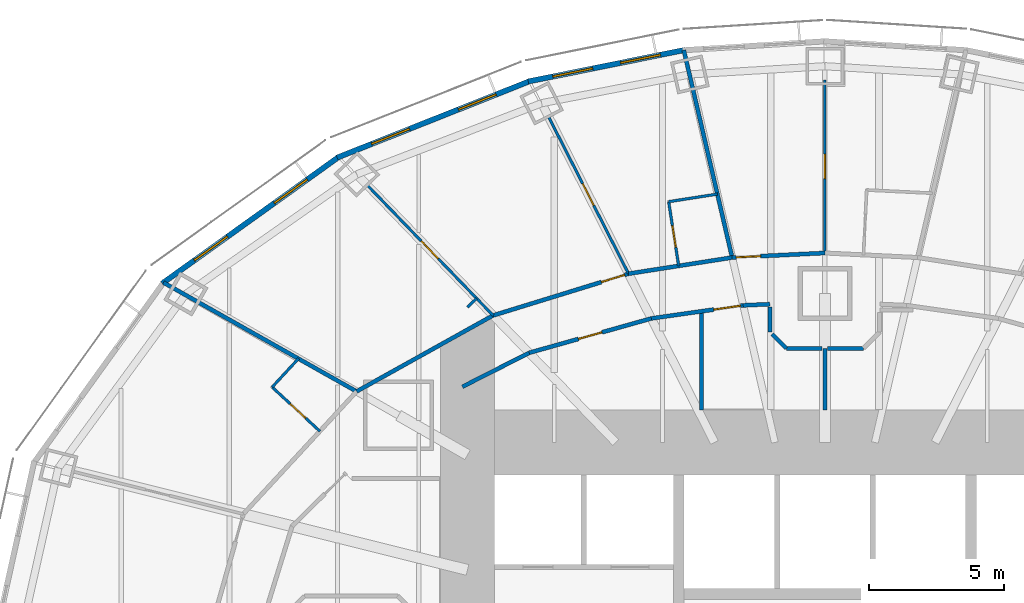
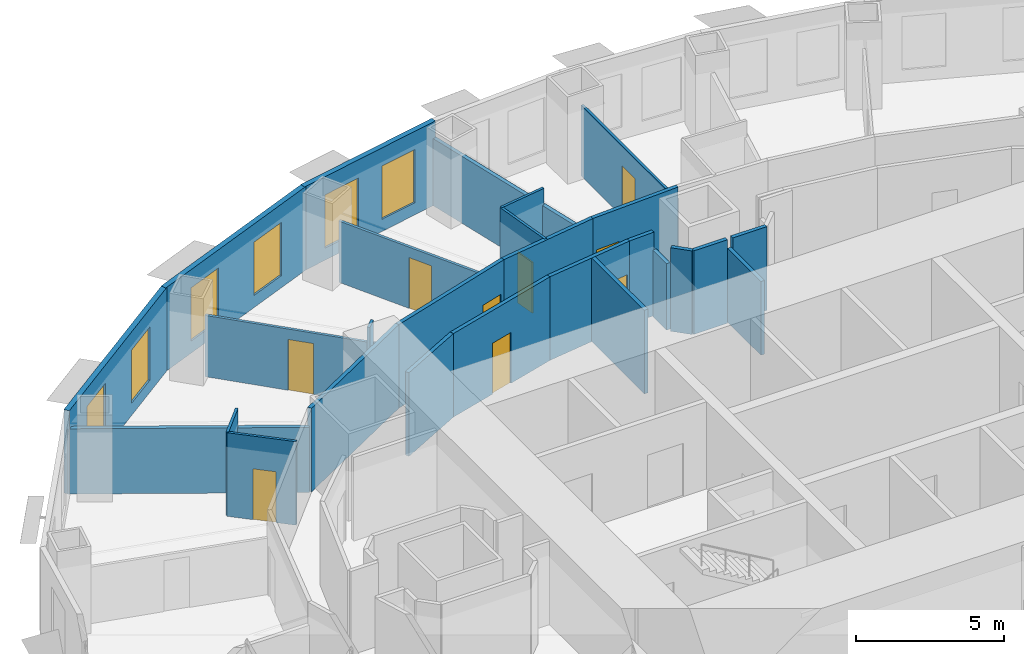
# One storey, part 9 of 15: 27 walls, 9 doors, 6 windows, 15 openings.
"""IFC4 building model written with IfcOpenShell, lengths in metres."""

import ifcopenshell
import ifcopenshell.guid

model = None  # the IFC model being written
_history = None  # IfcOwnerHistory: only IFC2X3 demands one
_inside = {}  # id of a spatial element -> (the spatial element, [elements in it])
_under = {}  # id of a project, library or spatial element -> (it, [spatial elements below it])
_declared = {}  # id of a project -> (the project, [libraries it declares])
_typed = {}  # id of a type object -> (the type object, [elements of that type])
_made_of = {}  # id of a material, layer set ... -> (it, [elements and type objects made of it])


def new_model(schema):
    """Start an empty IFC model of exactly this schema.

    Asked for "IFC4X3", IfcOpenShell would pick the latest addendum, in which some entities
    have other attributes; the version numbers below select the first issue.
    IFC2X3 requires an IfcOwnerHistory on every rooted entity: one is made here for all.
    """
    global model, _history
    if schema == "IFC4X3":
        model = ifcopenshell.file(schema_version=(4, 3, 0, 0))
    else:
        model = ifcopenshell.file(schema=schema)
    _inside.clear()
    _under.clear()
    _declared.clear()
    _typed.clear()
    _made_of.clear()
    _history = None
    if model.schema == "IFC2X3":
        org = make("IfcOrganization", Name="unknown")
        user = make(
            "IfcPersonAndOrganization",
            ThePerson=make("IfcPerson", FamilyName="unknown"),
            TheOrganization=org,
        )
        app = make(
            "IfcApplication",
            ApplicationDeveloper=org,
            Version="unknown",
            ApplicationFullName="unknown",
            ApplicationIdentifier="unknown",
        )
        _history = make(
            "IfcOwnerHistory",
            OwningUser=user,
            OwningApplication=app,
            ChangeAction="ADDED",
            CreationDate=0,
        )
    return model


def make(cls, **values):
    """One entity of the class cls with the attributes given. An attribute that is None is left unset."""
    return model.create_entity(
        cls, **{name: value for name, value in values.items() if value is not None}
    )


def rooted(cls, **values):
    """An entity with a GlobalId (a new one), such as an element, a storey or a relation."""
    return make(cls, GlobalId=ifcopenshell.guid.new(), OwnerHistory=_history, **values)


def si_unit(unit_type, name, prefix=None):
    """IfcSIUnit, for example si_unit("LENGTHUNIT", "METRE", prefix="MILLI")."""
    return make("IfcSIUnit", UnitType=unit_type, Prefix=prefix, Name=name)


def assignment(units):
    """IfcUnitAssignment: the units of a project."""
    return None if units is None else make("IfcUnitAssignment", Units=units)


def point(xyz):
    """IfcCartesianPoint."""
    return None if xyz is None else make("IfcCartesianPoint", Coordinates=xyz)


def direction(xyz):
    """IfcDirection."""
    return None if xyz is None else make("IfcDirection", DirectionRatios=xyz)


def frame(location, z_axis=None, x_axis=None):
    """IfcAxis2Placement3D, a coordinate frame: its origin and axes. An axis left out is left unset."""
    return make(
        "IfcAxis2Placement3D",
        Location=point(location),
        Axis=direction(z_axis),
        RefDirection=direction(x_axis),
    )


def frame_2d(location, x_axis=None):
    """IfcAxis2Placement2D, a coordinate frame in the plane: its origin and x axis."""
    return make(
        "IfcAxis2Placement2D", Location=point(location), RefDirection=direction(x_axis)
    )


def origin():
    """The frame at (0, 0, 0) with its axes left unset."""
    return frame((0.0, 0.0, 0.0))


def place(relative_to, where):
    """IfcLocalPlacement: puts the frame where relative to a parent placement (None: the world)."""
    return make(
        "IfcLocalPlacement", PlacementRelTo=relative_to, RelativePlacement=where
    )


def context(
    kind, dimensions, precision=None, world=None, true_north=None, identifier=None
):
    """IfcGeometricRepresentationContext, for example the 3D "Model" context."""
    return make(
        "IfcGeometricRepresentationContext",
        ContextIdentifier=identifier,
        ContextType=kind,
        CoordinateSpaceDimension=dimensions,
        Precision=precision,
        WorldCoordinateSystem=world,
        TrueNorth=true_north,
    )


def subcontext(parent, identifier, kind, view, scale=None):
    """IfcGeometricRepresentationSubContext, for example "Body" below "Model"."""
    return make(
        "IfcGeometricRepresentationSubContext",
        ContextIdentifier=identifier,
        ContextType=kind,
        ParentContext=parent,
        TargetScale=scale,
        TargetView=view,
    )


def project(units=None, contexts=None):
    """IfcProject with its units and contexts."""
    return rooted(
        "IfcProject",
        Name="project",
        RepresentationContexts=contexts,
        UnitsInContext=assignment(units),
    )


def spatial(cls, under=None, at=None, **own):
    """A site, building, storey or space (cls), placed at a placement, below another one or the project."""
    s = rooted(cls, ObjectPlacement=at, **own)
    if under is not None:
        _under.setdefault(under.id(), (under, []))[1].append(s)
    return s


def profile(cls, at=None, kind="AREA", **sizes):
    """A parametric profile (cls). Its sizes go by their IFC names, for example OverallWidth=200.0."""
    return make(cls, ProfileType=kind, Position=at, **sizes)


def rectangle(**sizes):
    """IfcRectangleProfileDef."""
    return profile("IfcRectangleProfileDef", **sizes)


def extrude(swept, where, along, depth):
    """IfcExtrudedAreaSolid: the profile swept, set in the frame where, extruded along a direction by depth."""
    return make(
        "IfcExtrudedAreaSolid",
        SweptArea=swept,
        Position=where,
        ExtrudedDirection=direction(along),
        Depth=depth,
    )


def shape(context_of_items, identifier, shape_type, items):
    """IfcShapeRepresentation: the items that make up one representation, for example the "Body"."""
    return make(
        "IfcShapeRepresentation",
        ContextOfItems=context_of_items,
        RepresentationIdentifier=identifier,
        RepresentationType=shape_type,
        Items=items,
    )


def material(Name=None, Category=None):
    """IfcMaterial."""
    return make("IfcMaterial", Name=Name, Category=Category)


def layer(
    of_material, thickness, ventilated=None, Name=None, Category=None, Priority=None
):
    """IfcMaterialLayer: one layer of a wall or slab, of a material (None: an air gap)."""
    return make(
        "IfcMaterialLayer",
        Material=of_material,
        LayerThickness=thickness,
        IsVentilated=ventilated,
        Name=Name,
        Category=Category,
        Priority=Priority,
    )


def layer_set(layers, Name=None):
    """IfcMaterialLayerSet."""
    return make("IfcMaterialLayerSet", MaterialLayers=layers, LayerSetName=Name)


def made_of(thing, what):
    """Note that an element or type object is made of a material, layer set ...; save() writes the relation."""
    if what is not None:
        _made_of.setdefault(what.id(), (what, []))[1].append(thing)
    return thing


def type_object(cls, material=None, **own):
    """A type object (cls), such as IfcWallType, which elements share."""
    return made_of(rooted(cls, **own), material)


def element(
    cls,
    number,
    at=None,
    inside=None,
    cuts=None,
    type_object=None,
    material=None,
    context=None,
    identifier="Body",
    shape_type=None,
    held_by="IfcProductDefinitionShape",
    body=None,
    shapes=None,
    **own,
):
    """One element of the class cls, such as IfcWall. Its Tag is "e" and its number.

    at: its placement. inside: the storey or other place that contains it. cuts: it is an
    opening in that element (IfcRelVoidsElement). A single representation is given by context,
    identifier, shape_type and body (its items); several are given by shapes. held_by: the class
    of the entity that holds the representations. save() writes the other relations.
    """
    e = rooted(cls, Tag="e%d" % number, ObjectPlacement=at, **own)
    if body is not None:
        shapes = [shape(context, identifier, shape_type, body)]
    if shapes is not None:
        e.Representation = make(held_by, Representations=shapes)
    if inside is not None:
        _inside.setdefault(inside.id(), (inside, []))[1].append(e)
    if cuts is not None:
        rooted(
            "IfcRelVoidsElement", RelatingBuildingElement=cuts, RelatedOpeningElement=e
        )
    if type_object is not None:
        _typed.setdefault(type_object.id(), (type_object, []))[1].append(e)
    return made_of(e, material)


def fill(opening, filler):
    """IfcRelFillsElement: the door or window that sits in an opening."""
    return rooted(
        "IfcRelFillsElement",
        RelatingOpeningElement=opening,
        RelatedBuildingElement=filler,
    )


def aggregate(whole, parts):
    """IfcRelAggregates: a whole, such as a stair, and the parts it consists of."""
    return rooted("IfcRelAggregates", RelatingObject=whole, RelatedObjects=parts)


def save(model, path):
    """Write the relations noted so far, then the file.

    IfcRelAggregates (storeys below a building ...), IfcRelContainedInSpatialStructure (elements
    in a storey), IfcRelDefinesByType, IfcRelAssociatesMaterial and IfcRelDeclares: one each for
    every whole, place, type object, material and project.
    """
    for whole, parts in _under.values():
        aggregate(whole, parts)
    for where, things in _inside.values():
        rooted(
            "IfcRelContainedInSpatialStructure",
            RelatedElements=things,
            RelatingStructure=where,
        )
    for kind, things in _typed.values():
        rooted("IfcRelDefinesByType", RelatedObjects=things, RelatingType=kind)
    for what, things in _made_of.values():
        rooted("IfcRelAssociatesMaterial", RelatedObjects=things, RelatingMaterial=what)
    for by, libraries in _declared.values():
        rooted("IfcRelDeclares", RelatingContext=by, RelatedDefinitions=libraries)
    model.write(path)


model = new_model("IFC4")

# Units and contexts
model_context = context("Model", 3, precision=1e-05, world=origin(), true_north=direction((0.0, 1.0)))
body_context = subcontext(model_context, "Body", "Model", "MODEL_VIEW")
ifc_project = project(units=[si_unit("LENGTHUNIT", "METRE"), si_unit("AREAUNIT", "SQUARE_METRE"), si_unit("VOLUMEUNIT", "CUBIC_METRE"), si_unit("PLANEANGLEUNIT", "RADIAN"), si_unit("MASSUNIT", "GRAM", prefix="KILO")], contexts=[model_context])

# Site, building, storey
site_placement = place(None, origin())
site = spatial("IfcSite", under=ifc_project, at=site_placement, CompositionType="ELEMENT")
building_placement = place(site_placement, origin())
building = spatial("IfcBuilding", under=site, at=building_placement, Name="Lantaw Convention Tower", CompositionType="ELEMENT")
storey_placement = place(building_placement, frame((0.0, 0.0, 94.60009765625)))
storey = spatial("IfcBuildingStorey", under=building, at=storey_placement, Name="L22", CompositionType="ELEMENT", Elevation=94.60009765625)

# Walls
ifc_material_1 = material(Name="Gypsum board on steel studs", Category="steel")
ifc_layer_1 = layer(ifc_material_1, 0.14990234375)
ifc_layer_set_1 = layer_set([ifc_layer_1], Name="Back of house wall 150")
wall_type_1 = type_object("IfcWallType", Name="Back of house wall 150", PredefinedType="PARTITIONING", material=ifc_layer_set_1)
wall_1_placement = place(storey_placement, frame((0.0, 9.199951171875, 0.0), z_axis=(0.0, 0.0, 1.0), x_axis=(0.0, 1.0, 0.0)))
element("IfcWall", 1, at=wall_1_placement, inside=storey, type_object=wall_type_1, Name="Back of house wall 150", PredefinedType="PARTITIONING", context=body_context, shape_type="SweptSolid", body=[
    extrude(rectangle(XDim=2.26513671875, YDim=0.14990234375, at=frame_2d((1.132568359375, 0.0))), origin(), (0.0, 0.0, 1.0), 3.04345703125),
])
for number, where, z_axis, x_axis, name in (
    (2, (1.424560546875, 11.47509765625, 0.0), (0.0, 0.0, 1.0), (-1.0, 0.0, 0.0), "Back of house wall 150"),
    (3, (-0.103271484375, 11.47509765625, 0.0), (0.0, 0.0, 1.0), (-1.0, 0.0, 0.0), "Back of house wall 150"),
):
    element("IfcWall", number, at=place(storey_placement, frame(where, z_axis=z_axis, x_axis=x_axis)), inside=storey, type_object=wall_type_1, Name=name, PredefinedType="PARTITIONING", context=body_context, shape_type="SweptSolid", body=[
        extrude(rectangle(XDim=1.3212890625, YDim=0.14990234375, at=frame_2d((0.66064453125, 0.0))), origin(), (0.0, 0.0, 1.0), 3.449951171875),
    ])
wall_2_placement = place(storey_placement, frame((-1.424560546875, 11.47509765625, 0.0), z_axis=(0.0, 0.0, 1.0), x_axis=(-0.707269727782, 0.706943797032, 0.0)))
element("IfcWall", 4, at=wall_2_placement, inside=storey, type_object=wall_type_1, Name="Back of house wall 150", PredefinedType="PARTITIONING", context=body_context, shape_type="SweptSolid", body=[
    extrude(rectangle(XDim=0.7490234375, YDim=0.14990234375, at=frame_2d((0.37451171875, 0.0))), origin(), (0.0, 0.0, 1.0), 3.449951171875),
])

# Wall, opening, door
ifc_material_2 = material(Name="Moisture resistant gypsum board on steel studs", Category="steel")
ifc_layer_2 = layer(ifc_material_2, 0.10009765625)
ifc_layer_set_2 = layer_set([ifc_layer_2], Name="Bathroom wall 100")
wall_type_2 = type_object("IfcWallType", Name="Bathroom wall 100", PredefinedType="PARTITIONING", material=ifc_layer_set_2)
wall_3_placement = place(storey_placement, frame((-5.400390625, 14.524169921875, 0.0), z_axis=(0.0, 0.0, 1.0), x_axis=(-0.154426532979, 0.988004274238, 0.0)))
wall_3 = element("IfcWall", 5, at=wall_3_placement, inside=storey, type_object=wall_type_2, Name="Bathroom wall 100", PredefinedType="PARTITIONING", context=body_context, shape_type="SweptSolid", body=[
    extrude(rectangle(XDim=2.39990234375, YDim=0.10009765625, at=frame_2d((1.199951171875, 0.0))), origin(), (0.0, 0.0, 1.0), 3.449951171875),
])
opening_1_placement = place(wall_3_placement, frame((0.699951171875, 0.0, 0.0)))
opening_1 = element("IfcOpeningElement", 6, at=opening_1_placement, cuts=wall_3, Name="Opening L22.35", PredefinedType="OPENING", context=body_context, shape_type="SweptSolid", body=[
    extrude(rectangle(XDim=0.800048828125, YDim=2.10009765625, at=frame_2d((0.39990234375, 1.050048828125))), frame((0.0, 0.06005859375, 0.0), z_axis=(0.0, -1.0, 0.0), x_axis=(1.0, 0.0, 0.0)), (0.0, 0.0, 1.0), 0.1201171875),
])
ifc_material_3 = material(Name="Timber", Category="wood")
door_type_1 = type_object("IfcDoorType", Name="Bathroom door 800", OperationType="SINGLE_SWING_LEFT", PredefinedType="DOOR", material=ifc_material_3)
door_1_placement = place(opening_1_placement, origin())
door_1 = element("IfcDoor", 7, at=door_1_placement, inside=storey, type_object=door_type_1, Name="Bathroom door", OperationType="SINGLE_SWING_LEFT", OverallHeight=2.10009765625, OverallWidth=0.800048828125, PredefinedType="DOOR", context=body_context, shape_type="SweptSolid", body=[
    extrude(rectangle(XDim=0.800048828125, YDim=2.10009765625, at=frame_2d((0.39990234375, 1.050048828125))), frame((0.0, 0.02490234375, 0.0), z_axis=(0.0, -1.0, 0.0), x_axis=(1.0, 0.0, 0.0)), (0.0, 0.0, 1.0), 0.050048828125),
])
fill(opening_1, door_1)

# Wall
wall_4_placement = place(storey_placement, frame((-5.77099609375, 16.895263671875, 0.0), z_axis=(0.0, 0.0, 1.0), x_axis=(0.98801840204, 0.154336117711, 0.0)))
element("IfcWall", 8, at=wall_4_placement, inside=storey, type_object=wall_type_2, Name="Bathroom wall 100", PredefinedType="PARTITIONING", context=body_context, shape_type="SweptSolid", body=[
    extrude(rectangle(XDim=1.8271484375, YDim=0.10009765625, at=frame_2d((0.91357421875, 0.0))), origin(), (0.0, 0.0, 1.0), 3.449951171875),
])

# Wall, opening, door
wall_5_placement = place(storey_placement, frame((-18.65625, 8.416259765625, 0.0), z_axis=(0.0, 0.0, 1.0), x_axis=(-0.73447964986, 0.678630712495, 0.0)))
wall_5 = element("IfcWall", 9, at=wall_5_placement, inside=storey, type_object=wall_type_2, Name="Bathroom wall 100", PredefinedType="PARTITIONING", context=body_context, shape_type="SweptSolid", body=[
    extrude(rectangle(XDim=2.39990234375, YDim=0.10009765625, at=frame_2d((1.199951171875, 0.0))), origin(), (0.0, 0.0, 1.0), 3.449951171875),
])
opening_2_placement = place(wall_5_placement, frame((0.699951171875, 0.0, 0.0)))
opening_2 = element("IfcOpeningElement", 10, at=opening_2_placement, cuts=wall_5, Name="Opening L22.39", PredefinedType="OPENING", context=body_context, shape_type="SweptSolid", body=[
    extrude(rectangle(XDim=0.800048828125, YDim=2.10009765625, at=frame_2d((0.39990234375, 1.050048828125))), frame((0.0, 0.06005859375, 0.0), z_axis=(0.0, -1.0, 0.0), x_axis=(1.0, 0.0, 0.0)), (0.0, 0.0, 1.0), 0.1201171875),
])
door_2_placement = place(opening_2_placement, origin())
door_2 = element("IfcDoor", 11, at=door_2_placement, inside=storey, type_object=door_type_1, Name="Bathroom door", OperationType="SINGLE_SWING_LEFT", OverallHeight=2.10009765625, OverallWidth=0.800048828125, PredefinedType="DOOR", context=body_context, shape_type="SweptSolid", body=[
    extrude(rectangle(XDim=0.800048828125, YDim=2.10009765625, at=frame_2d((0.39990234375, 1.050048828125))), frame((0.0, 0.02490234375, 0.0), z_axis=(0.0, -1.0, 0.0), x_axis=(1.0, 0.0, 0.0)), (0.0, 0.0, 1.0), 0.050048828125),
])
fill(opening_2, door_2)

# Wall
wall_6_placement = place(storey_placement, frame((-20.4189453125, 10.044921875, 0.0), z_axis=(0.0, 0.0, 1.0), x_axis=(0.67861657312, 0.734492713842, 0.0)))
element("IfcWall", 12, at=wall_6_placement, inside=storey, type_object=wall_type_2, Name="Bathroom wall 100", PredefinedType="PARTITIONING", context=body_context, shape_type="SweptSolid", body=[
    extrude(rectangle(XDim=1.4462890625, YDim=0.10009765625, at=frame_2d((0.72314453125, 0.0))), origin(), (0.0, 0.0, 1.0), 3.449951171875),
])

# Wall, opening, door
ifc_material_4 = material(Name="Gypsum board on steel studs, fire rated", Category="steel")
ifc_layer_3 = layer(ifc_material_4, 0.14990234375)
ifc_layer_set_3 = layer_set([ifc_layer_3], Name="Corridor wall 150 EI 60")
wall_type_3 = type_object("IfcWallType", Name="Corridor wall 150 EI 60", PredefinedType="PARTITIONING", material=ifc_layer_set_3)
wall_7_placement = place(storey_placement, frame((0.0, 15.0, 0.0), z_axis=(0.0, 0.0, 1.0), x_axis=(-0.998809560203, -0.048779733975, 0.0)))
wall_7 = element("IfcWall", 13, at=wall_7_placement, inside=storey, type_object=wall_type_3, Name="Corridor wall 150", PredefinedType="PARTITIONING", context=body_context, shape_type="SweptSolid", body=[
    extrude(rectangle(XDim=3.428466796875, YDim=0.14990234375, at=frame_2d((1.71435546875, 0.0))), origin(), (0.0, 0.0, 1.0), 3.449951171875),
])
opening_3_placement = place(wall_7_placement, frame((2.37841796875, 0.0, 0.0)))
opening_3 = element("IfcOpeningElement", 14, at=opening_3_placement, cuts=wall_7, Name="Opening L22.34", PredefinedType="OPENING", context=body_context, shape_type="SweptSolid", body=[
    extrude(rectangle(XDim=0.89990234375, YDim=2.10009765625, at=frame_2d((0.449951171875, 1.050048828125))), frame((0.0, 0.0849609375, 0.0), z_axis=(0.0, -1.0, 0.0), x_axis=(1.0, 0.0, 0.0)), (0.0, 0.0, 1.0), 0.169921875),
])
ifc_material_5 = material(Name="Steel, fire rated", Category="steel")
door_type_2 = type_object("IfcDoorType", Name="Guest room entrance door FD30S", OperationType="SINGLE_SWING_LEFT", PredefinedType="DOOR", material=ifc_material_5)
door_3_placement = place(opening_3_placement, origin())
door_3 = element("IfcDoor", 15, at=door_3_placement, inside=storey, type_object=door_type_2, Name="Suite entrance door", OperationType="SINGLE_SWING_LEFT", OverallHeight=2.10009765625, OverallWidth=0.89990234375, PredefinedType="DOOR", context=body_context, shape_type="SweptSolid", body=[
    extrude(rectangle(XDim=0.89990234375, YDim=2.10009765625, at=frame_2d((0.449951171875, 1.050048828125))), frame((0.0, 0.02490234375, 0.0), z_axis=(0.0, -1.0, 0.0), x_axis=(1.0, 0.0, 0.0)), (0.0, 0.0, 1.0), 0.050048828125),
])
fill(opening_3, door_3)

# Wall
wall_8_placement = place(storey_placement, frame((-3.42431640625, 14.832763671875, 0.0), z_axis=(0.0, 0.0, 1.0), x_axis=(-0.988015036573, -0.154357660987, 0.0)))
element("IfcWall", 16, at=wall_8_placement, inside=storey, type_object=wall_type_3, Name="Corridor wall 150", PredefinedType="PARTITIONING", context=body_context, shape_type="SweptSolid", body=[
    extrude(rectangle(XDim=3.875, YDim=0.14990234375, at=frame_2d((1.9375, 0.0))), origin(), (0.0, 0.0, 1.0), 3.449951171875),
])

# Wall, opening, door
wall_9_placement = place(storey_placement, frame((-7.2529296875, 14.234619140625, 0.0), z_axis=(0.0, 0.0, 1.0), x_axis=(-0.955657956744, -0.294478980085, 0.0)))
wall_9 = element("IfcWall", 17, at=wall_9_placement, inside=storey, type_object=wall_type_3, Name="Corridor wall 150", PredefinedType="PARTITIONING", context=body_context, shape_type="SweptSolid", body=[
    extrude(rectangle(XDim=5.236328125, YDim=0.14990234375, at=frame_2d((2.6181640625, 0.0))), origin(), (0.0, 0.0, 1.0), 3.449951171875),
])
opening_4_placement = place(wall_9_placement, frame((0.14990234375, 0.0, 0.0)))
opening_4 = element("IfcOpeningElement", 18, at=opening_4_placement, cuts=wall_9, Name="Opening L22.38", PredefinedType="OPENING", context=body_context, shape_type="SweptSolid", body=[
    extrude(rectangle(XDim=0.89990234375, YDim=2.10009765625, at=frame_2d((0.449951171875, 1.050048828125))), frame((0.0, 0.0849609375, 0.0), z_axis=(0.0, -1.0, 0.0), x_axis=(1.0, 0.0, 0.0)), (0.0, 0.0, 1.0), 0.169921875),
])
door_4_placement = place(opening_4_placement, origin())
door_4 = element("IfcDoor", 19, at=door_4_placement, inside=storey, type_object=door_type_2, Name="Suite entrance door", OperationType="SINGLE_SWING_LEFT", OverallHeight=2.10009765625, OverallWidth=0.89990234375, PredefinedType="DOOR", context=body_context, shape_type="SweptSolid", body=[
    extrude(rectangle(XDim=0.89990234375, YDim=2.10009765625, at=frame_2d((0.449951171875, 1.050048828125))), frame((0.0, 0.02490234375, 0.0), z_axis=(0.0, -1.0, 0.0), x_axis=(1.0, 0.0, 0.0)), (0.0, 0.0, 1.0), 0.050048828125),
])
fill(opening_4, door_4)

# Wall
wall_10_placement = place(storey_placement, frame((-12.257080078125, 12.692626953125, 0.0), z_axis=(0.0, 0.0, 1.0), x_axis=(-0.873695910579, -0.486472461541, 0.0)))
element("IfcWall", 20, at=wall_10_placement, inside=storey, type_object=wall_type_3, Name="Corridor wall 150", PredefinedType="PARTITIONING", context=body_context, shape_type="SweptSolid", body=[
    extrude(rectangle(XDim=5.77099609375, YDim=0.14990234375, at=frame_2d((2.885498046875, 0.0))), origin(), (0.0, 0.0, 1.0), 3.449951171875),
])

# Wall, opening, door
wall_11_placement = place(storey_placement, frame((-3.016357421875, 13.065673828125, 0.0), z_axis=(0.0, 0.0, 1.0), x_axis=(-0.990002114939, -0.14105251652, 0.0)))
wall_11 = element("IfcWall", 21, at=wall_11_placement, inside=storey, type_object=wall_type_3, Name="Corridor wall 150", PredefinedType="PARTITIONING", context=body_context, shape_type="SweptSolid", body=[
    extrude(rectangle(XDim=3.4287109375, YDim=0.14990234375, at=frame_2d((1.71435546875, 0.0))), origin(), (0.0, 0.0, 1.0), 3.449951171875),
])
opening_5_placement = place(wall_11_placement, frame((0.10009765625, 0.0, 0.0)))
opening_5 = element("IfcOpeningElement", 22, at=opening_5_placement, cuts=wall_11, Name="Opening L22.18", PredefinedType="OPENING", context=body_context, shape_type="SweptSolid", body=[
    extrude(rectangle(XDim=1.0, YDim=2.10009765625, at=frame_2d((0.5, 1.050048828125))), frame((0.0, 0.0849609375, 0.0), z_axis=(0.0, -1.0, 0.0), x_axis=(1.0, 0.0, 0.0)), (0.0, 0.0, 1.0), 0.169921875),
])
door_type_3 = type_object("IfcDoorType", Name="Accessible WC door 1000 FD30", OperationType="SINGLE_SWING_LEFT", PredefinedType="DOOR", material=ifc_material_5)
door_5_placement = place(opening_5_placement, origin())
door_5 = element("IfcDoor", 23, at=door_5_placement, inside=storey, type_object=door_type_3, Name="Accessible WC door", OperationType="SINGLE_SWING_LEFT", OverallHeight=2.10009765625, OverallWidth=1.0, PredefinedType="DOOR", context=body_context, shape_type="SweptSolid", body=[
    extrude(rectangle(XDim=1.0, YDim=2.10009765625, at=frame_2d((0.5, 1.050048828125))), frame((0.0, 0.02490234375, 0.0), z_axis=(0.0, -1.0, 0.0), x_axis=(1.0, 0.0, 0.0)), (0.0, 0.0, 1.0), 0.050048828125),
])
fill(opening_5, door_5)

wall_12_placement = place(storey_placement, frame((-6.410888671875, 12.58203125, 0.0), z_axis=(0.0, 0.0, 1.0), x_axis=(-0.962643729928, -0.270771211967, 0.0)))
wall_12 = element("IfcWall", 24, at=wall_12_placement, inside=storey, type_object=wall_type_3, Name="Corridor wall 150", PredefinedType="PARTITIONING", context=body_context, shape_type="SweptSolid", body=[
    extrude(rectangle(XDim=4.6884765625, YDim=0.14990234375, at=frame_2d((2.34423828125, 0.0))), origin(), (0.0, 0.0, 1.0), 3.449951171875),
])
opening_6_placement = place(wall_12_placement, frame((1.894287109375, 0.0, 0.0)))
opening_6 = element("IfcOpeningElement", 25, at=opening_6_placement, cuts=wall_12, Name="Opening L22.19", PredefinedType="OPENING", context=body_context, shape_type="SweptSolid", body=[
    extrude(rectangle(XDim=0.89990234375, YDim=2.10009765625, at=frame_2d((0.449951171875, 1.050048828125))), frame((0.0, 0.0849609375, 0.0), z_axis=(0.0, -1.0, 0.0), x_axis=(1.0, 0.0, 0.0)), (0.0, 0.0, 1.0), 0.169921875),
])
door_type_4 = type_object("IfcDoorType", Name="Service door 900 FD30", OperationType="SINGLE_SWING_LEFT", PredefinedType="DOOR", material=ifc_material_5)
door_6_placement = place(opening_6_placement, origin())
door_6 = element("IfcDoor", 26, at=door_6_placement, inside=storey, type_object=door_type_4, Name="Housekeeping store door", OperationType="SINGLE_SWING_LEFT", OverallHeight=2.10009765625, OverallWidth=0.89990234375, PredefinedType="DOOR", context=body_context, shape_type="SweptSolid", body=[
    extrude(rectangle(XDim=0.89990234375, YDim=2.10009765625, at=frame_2d((0.449951171875, 1.050048828125))), frame((0.0, 0.02490234375, 0.0), z_axis=(0.0, -1.0, 0.0), x_axis=(1.0, 0.0, 0.0)), (0.0, 0.0, 1.0), 0.050048828125),
])
fill(opening_6, door_6)

# Walls
wall_13_placement = place(storey_placement, frame((-10.92431640625, 11.3125, 0.0), z_axis=(0.0, 0.0, 1.0), x_axis=(-0.891388152271, -0.453240732935, 0.0)))
element("IfcWall", 27, at=wall_13_placement, inside=storey, type_object=wall_type_3, Name="Corridor wall 150", PredefinedType="PARTITIONING", context=body_context, shape_type="SweptSolid", body=[
    extrude(rectangle(XDim=2.76611328125, YDim=0.14990234375, at=frame_2d((1.383056640625, 0.0))), origin(), (0.0, 0.0, 1.0), 3.449951171875),
])
wall_14_placement = place(storey_placement, frame((-2.034912109375, 13.109375, 0.0), z_axis=(0.0, 0.0, 1.0), x_axis=(-0.999010128674, -0.044483286824, 0.0)))
element("IfcWall", 28, at=wall_14_placement, inside=storey, type_object=wall_type_3, Name="Corridor wall 150", PredefinedType="PARTITIONING", context=body_context, shape_type="SweptSolid", body=[
    extrude(rectangle(XDim=0.982421875, YDim=0.14990234375, at=frame_2d((0.4912109375, 0.0))), origin(), (0.0, 0.0, 1.0), 3.449951171875),
])
wall_15_placement = place(storey_placement, frame((-2.02490234375, 12.075439453125, 0.0), z_axis=(0.0, 0.0, 1.0), x_axis=(0.0, 1.0, 0.0)))
element("IfcWall", 29, at=wall_15_placement, inside=storey, type_object=wall_type_3, Name="Corridor wall 150", PredefinedType="PARTITIONING", context=body_context, shape_type="SweptSolid", body=[
    extrude(rectangle(XDim=0.9296875, YDim=0.14990234375, at=frame_2d((0.46484375, 0.0))), origin(), (0.0, 0.0, 1.0), 2.748779296875),
])

# Wall, openings, windows
ifc_material_6 = material(Name="Insulated aluminium panel on steel frame", Category="steel")
ifc_layer_4 = layer(ifc_material_6, 0.199951171875)
ifc_layer_set_4 = layer_set([ifc_layer_4], Name="External wall 200")
wall_type_4 = type_object("IfcWallType", Name="External wall 200", PredefinedType="SOLIDWALL", material=ifc_layer_set_4)
wall_16_placement = place(storey_placement, frame((-5.169677734375, 22.504150390625, 0.0), z_axis=(0.0, 0.0, 1.0), x_axis=(-0.980251657452, -0.197754110105, 0.0)))
wall_16 = element("IfcWall", 30, at=wall_16_placement, inside=storey, type_object=wall_type_4, Name="Facade panel wall", PredefinedType="SOLIDWALL", context=body_context, shape_type="SweptSolid", body=[
    extrude(rectangle(XDim=5.90380859375, YDim=0.199951171875, at=frame_2d((2.951904296875, 0.0))), origin(), (0.0, 0.0, 1.0), 3.449951171875),
])
opening_7_placement = place(wall_16_placement, frame((0.92578125, 0.0, 0.5)))
opening_7 = element("IfcOpeningElement", 31, at=opening_7_placement, cuts=wall_16, Name="Opening W2", PredefinedType="OPENING", context=body_context, shape_type="SweptSolid", body=[
    extrude(rectangle(XDim=1.5, YDim=2.199951171875, at=frame_2d((0.75, 1.10009765625))), frame((0.0, 0.10986328125, 0.0), z_axis=(0.0, -1.0, 0.0), x_axis=(1.0, 0.0, 0.0)), (0.0, 0.0, 1.0), 0.219970703125),
])
opening_8_placement = place(wall_16_placement, frame((3.477783203125, 0.0, 0.5)))
opening_8 = element("IfcOpeningElement", 32, at=opening_8_placement, cuts=wall_16, Name="Opening W2", PredefinedType="OPENING", context=body_context, shape_type="SweptSolid", body=[
    extrude(rectangle(XDim=1.5, YDim=2.199951171875, at=frame_2d((0.75, 1.10009765625))), frame((0.0, 0.10986328125, 0.0), z_axis=(0.0, -1.0, 0.0), x_axis=(1.0, 0.0, 0.0)), (0.0, 0.0, 1.0), 0.219970703125),
])
ifc_material_7 = material(Name="Aluminium frame, clear insulating glass", Category="aluminium")
window_type = type_object("IfcWindowType", Name="Suite window 1500x2200", PartitioningType="SINGLE_PANEL", PredefinedType="WINDOW", material=ifc_material_7)
window_1_placement = place(opening_7_placement, origin())
window_1 = element("IfcWindow", 33, at=window_1_placement, inside=storey, type_object=window_type, Name="Guest room window", OverallHeight=2.199951171875, OverallWidth=1.5, PartitioningType="SINGLE_PANEL", PredefinedType="WINDOW", context=body_context, shape_type="SweptSolid", body=[
    extrude(rectangle(XDim=1.5, YDim=2.199951171875, at=frame_2d((0.75, 1.10009765625))), frame((0.0, 0.030029296875, 0.0), z_axis=(0.0, -1.0, 0.0), x_axis=(1.0, 0.0, 0.0)), (0.0, 0.0, 1.0), 0.06005859375),
])
fill(opening_7, window_1)
window_2_placement = place(opening_8_placement, origin())
window_2 = element("IfcWindow", 34, at=window_2_placement, inside=storey, type_object=window_type, Name="Guest room window", OverallHeight=2.199951171875, OverallWidth=1.5, PartitioningType="SINGLE_PANEL", PredefinedType="WINDOW", context=body_context, shape_type="SweptSolid", body=[
    extrude(rectangle(XDim=1.5, YDim=2.199951171875, at=frame_2d((0.75, 1.10009765625))), frame((0.0, 0.030029296875, 0.0), z_axis=(0.0, -1.0, 0.0), x_axis=(1.0, 0.0, 0.0)), (0.0, 0.0, 1.0), 0.06005859375),
])
fill(opening_8, window_2)

wall_17_placement = place(storey_placement, frame((-10.869384765625, 21.362548828125, 0.0), z_axis=(0.0, 0.0, 1.0), x_axis=(-0.929358351251, -0.369178892895, 0.0)))
wall_17 = element("IfcWall", 35, at=wall_17_placement, inside=storey, type_object=wall_type_4, Name="Facade panel wall", PredefinedType="SOLIDWALL", context=body_context, shape_type="SweptSolid", body=[
    extrude(rectangle(XDim=7.6923828125, YDim=0.199951171875, at=frame_2d((3.84619140625, 0.0))), origin(), (0.0, 0.0, 1.0), 3.449951171875),
])
opening_9_placement = place(wall_17_placement, frame((1.373046875, 0.0, 0.5)))
opening_9 = element("IfcOpeningElement", 36, at=opening_9_placement, cuts=wall_17, Name="Opening W2", PredefinedType="OPENING", context=body_context, shape_type="SweptSolid", body=[
    extrude(rectangle(XDim=1.5, YDim=2.199951171875, at=frame_2d((0.75, 1.10009765625))), frame((0.0, 0.10986328125, 0.0), z_axis=(0.0, -1.0, 0.0), x_axis=(1.0, 0.0, 0.0)), (0.0, 0.0, 1.0), 0.219970703125),
])
opening_10_placement = place(wall_17_placement, frame((4.819091796875, 0.0, 0.5)))
opening_10 = element("IfcOpeningElement", 37, at=opening_10_placement, cuts=wall_17, Name="Opening W2", PredefinedType="OPENING", context=body_context, shape_type="SweptSolid", body=[
    extrude(rectangle(XDim=1.5, YDim=2.199951171875, at=frame_2d((0.75, 1.10009765625))), frame((0.0, 0.10986328125, 0.0), z_axis=(0.0, -1.0, 0.0), x_axis=(1.0, 0.0, 0.0)), (0.0, 0.0, 1.0), 0.219970703125),
])
window_3_placement = place(opening_9_placement, origin())
window_3 = element("IfcWindow", 38, at=window_3_placement, inside=storey, type_object=window_type, Name="Guest room window", OverallHeight=2.199951171875, OverallWidth=1.5, PartitioningType="SINGLE_PANEL", PredefinedType="WINDOW", context=body_context, shape_type="SweptSolid", body=[
    extrude(rectangle(XDim=1.5, YDim=2.199951171875, at=frame_2d((0.75, 1.10009765625))), frame((0.0, 0.030029296875, 0.0), z_axis=(0.0, -1.0, 0.0), x_axis=(1.0, 0.0, 0.0)), (0.0, 0.0, 1.0), 0.06005859375),
])
fill(opening_9, window_3)
window_4_placement = place(opening_10_placement, origin())
window_4 = element("IfcWindow", 39, at=window_4_placement, inside=storey, type_object=window_type, Name="Guest room window", OverallHeight=2.199951171875, OverallWidth=1.5, PartitioningType="SINGLE_PANEL", PredefinedType="WINDOW", context=body_context, shape_type="SweptSolid", body=[
    extrude(rectangle(XDim=1.5, YDim=2.199951171875, at=frame_2d((0.75, 1.10009765625))), frame((0.0, 0.030029296875, 0.0), z_axis=(0.0, -1.0, 0.0), x_axis=(1.0, 0.0, 0.0)), (0.0, 0.0, 1.0), 0.06005859375),
])
fill(opening_10, window_4)

wall_18_placement = place(storey_placement, frame((-17.9287109375, 18.57177734375, 0.0), z_axis=(0.0, 0.0, 1.0), x_axis=(-0.812791321576, -0.582554948112, 0.0)))
wall_18 = element("IfcWall", 40, at=wall_18_placement, inside=storey, type_object=wall_type_4, Name="Facade panel wall", PredefinedType="SOLIDWALL", context=body_context, shape_type="SweptSolid", body=[
    extrude(rectangle(XDim=8.063232421875, YDim=0.199951171875, at=frame_2d((4.03173828125, 0.0))), origin(), (0.0, 0.0, 1.0), 3.449951171875),
])
opening_11_placement = place(wall_18_placement, frame((1.4658203125, 0.0, 0.5)))
opening_11 = element("IfcOpeningElement", 41, at=opening_11_placement, cuts=wall_18, Name="Opening W2", PredefinedType="OPENING", context=body_context, shape_type="SweptSolid", body=[
    extrude(rectangle(XDim=1.5, YDim=2.199951171875, at=frame_2d((0.75, 1.10009765625))), frame((0.0, 0.10986328125, 0.0), z_axis=(0.0, -1.0, 0.0), x_axis=(1.0, 0.0, 0.0)), (0.0, 0.0, 1.0), 0.219970703125),
])
opening_12_placement = place(wall_18_placement, frame((5.097412109375, 0.0, 0.5)))
opening_12 = element("IfcOpeningElement", 42, at=opening_12_placement, cuts=wall_18, Name="Opening W2", PredefinedType="OPENING", context=body_context, shape_type="SweptSolid", body=[
    extrude(rectangle(XDim=1.5, YDim=2.199951171875, at=frame_2d((0.75, 1.10009765625))), frame((0.0, 0.10986328125, 0.0), z_axis=(0.0, -1.0, 0.0), x_axis=(1.0, 0.0, 0.0)), (0.0, 0.0, 1.0), 0.219970703125),
])
window_5_placement = place(opening_11_placement, origin())
window_5 = element("IfcWindow", 43, at=window_5_placement, inside=storey, type_object=window_type, Name="Guest room window", OverallHeight=2.199951171875, OverallWidth=1.5, PartitioningType="SINGLE_PANEL", PredefinedType="WINDOW", context=body_context, shape_type="SweptSolid", body=[
    extrude(rectangle(XDim=1.5, YDim=2.199951171875, at=frame_2d((0.75, 1.10009765625))), frame((0.0, 0.030029296875, 0.0), z_axis=(0.0, -1.0, 0.0), x_axis=(1.0, 0.0, 0.0)), (0.0, 0.0, 1.0), 0.06005859375),
])
fill(opening_11, window_5)
window_6_placement = place(opening_12_placement, origin())
window_6 = element("IfcWindow", 44, at=window_6_placement, inside=storey, type_object=window_type, Name="Guest room window", OverallHeight=2.199951171875, OverallWidth=1.5, PartitioningType="SINGLE_PANEL", PredefinedType="WINDOW", context=body_context, shape_type="SweptSolid", body=[
    extrude(rectangle(XDim=1.5, YDim=2.199951171875, at=frame_2d((0.75, 1.10009765625))), frame((0.0, 0.030029296875, 0.0), z_axis=(0.0, -1.0, 0.0), x_axis=(1.0, 0.0, 0.0)), (0.0, 0.0, 1.0), 0.06005859375),
])
fill(opening_12, window_6)

# Walls
ifc_material_8 = material(Name="Gypsum board on steel studs, acoustic", Category="steel")
ifc_layer_5 = layer(ifc_material_8, 0.14990234375)
ifc_layer_set_5 = layer_set([ifc_layer_5], Name="Guest room party wall 150")
wall_type_5 = type_object("IfcWallType", Name="Guest room party wall 150", PredefinedType="PARTITIONING", material=ifc_layer_set_5)
wall_19_placement = place(storey_placement, frame((-5.2109375, 22.495849609375, 0.0), z_axis=(0.0, 0.0, 1.0), x_axis=(0.227056984461, -0.973881474209, 0.0)))
element("IfcWall", 45, at=wall_19_placement, inside=storey, type_object=wall_type_5, Name="Guest room party wall 150", PredefinedType="PARTITIONING", context=body_context, shape_type="SweptSolid", body=[
    extrude(rectangle(XDim=7.86865234375, YDim=0.14990234375, at=frame_2d((3.934326171875, 0.0))), origin(), (0.0, 0.0, 1.0), 2.7666015625),
])
wall_20_placement = place(storey_placement, frame((-24.434814453125, 13.90869140625, 0.0), z_axis=(0.0, 0.0, 1.0), x_axis=(0.871075246657, -0.491149584813, 0.0)))
element("IfcWall", 46, at=wall_20_placement, inside=storey, type_object=wall_type_5, Name="Guest room party wall 150", PredefinedType="PARTITIONING", context=body_context, shape_type="SweptSolid", body=[
    extrude(rectangle(XDim=8.19189453125, YDim=0.14990234375, at=frame_2d((4.095947265625, 0.0))), origin(), (0.0, 0.0, 1.0), 2.69287109375),
])
ifc_layer_6 = layer(ifc_material_8, 0.10009765625)
ifc_layer_set_6 = layer_set([ifc_layer_6], Name="Office partition 100")
wall_type_6 = type_object("IfcWallType", Name="Office partition 100", PredefinedType="PARTITIONING", material=ifc_layer_set_6)
wall_21_placement = place(storey_placement, frame((-13.199951171875, 13.0, 0.0), z_axis=(0.0, 0.0, 1.0), x_axis=(0.719347134512, 0.69465077562, 0.0)))
element("IfcWall", 47, at=wall_21_placement, inside=storey, type_object=wall_type_6, Name="Office partition 100", PredefinedType="PARTITIONING", context=body_context, shape_type="SweptSolid", body=[
    extrude(rectangle(XDim=0.464599609375, YDim=0.10009765625, at=frame_2d((0.232421875, 0.0))), origin(), (0.0, 0.0, 1.0), 3.449951171875),
])

# Wall, opening, door
ifc_layer_7 = layer(ifc_material_1, 0.10009765625)
ifc_layer_set_7 = layer_set([ifc_layer_7], Name="Suite partition 100")
wall_type_7 = type_object("IfcWallType", Name="Suite partition 100", PredefinedType="PARTITIONING", material=ifc_layer_set_7)
wall_22_placement = place(storey_placement, frame((0.0, 21.39990234375, 0.0), z_axis=(0.0, 0.0, 1.0), x_axis=(0.0, -1.0, 0.0)))
wall_22 = element("IfcWall", 48, at=wall_22_placement, inside=storey, type_object=wall_type_7, Name="Suite partition 100", PredefinedType="PARTITIONING", context=body_context, shape_type="SweptSolid", body=[
    extrude(rectangle(XDim=6.39990234375, YDim=0.10009765625, at=frame_2d((3.199951171875, 0.0))), origin(), (0.0, 0.0, 1.0), 2.924072265625),
])
opening_13_placement = place(wall_22_placement, frame((2.75, 0.0, 0.0)))
opening_13 = element("IfcOpeningElement", 49, at=opening_13_placement, cuts=wall_22, Name="Opening L22.33", PredefinedType="OPENING", context=body_context, shape_type="SweptSolid", body=[
    extrude(rectangle(XDim=0.89990234375, YDim=2.10009765625, at=frame_2d((0.449951171875, 1.050048828125))), frame((0.0, 0.06005859375, 0.0), z_axis=(0.0, -1.0, 0.0), x_axis=(1.0, 0.0, 0.0)), (0.0, 0.0, 1.0), 0.1201171875),
])
door_type_5 = type_object("IfcDoorType", Name="Suite door 900", OperationType="SINGLE_SWING_LEFT", PredefinedType="DOOR", material=ifc_material_3)
door_7_placement = place(opening_13_placement, origin())
door_7 = element("IfcDoor", 50, at=door_7_placement, inside=storey, type_object=door_type_5, Name="Bedroom door", OperationType="SINGLE_SWING_LEFT", OverallHeight=2.10009765625, OverallWidth=0.89990234375, PredefinedType="DOOR", context=body_context, shape_type="SweptSolid", body=[
    extrude(rectangle(XDim=0.89990234375, YDim=2.10009765625, at=frame_2d((0.449951171875, 1.050048828125))), frame((0.0, 0.02490234375, 0.0), z_axis=(0.0, -1.0, 0.0), x_axis=(1.0, 0.0, 0.0)), (0.0, 0.0, 1.0), 0.050048828125),
])
fill(opening_13, door_7)

wall_23_placement = place(storey_placement, frame((-10.235595703125, 20.08837890625, 0.0), z_axis=(0.0, 0.0, 1.0), x_axis=(0.453993694696, -0.89100489627, 0.0)))
wall_23 = element("IfcWall", 51, at=wall_23_placement, inside=storey, type_object=wall_type_7, Name="Suite partition 100", PredefinedType="PARTITIONING", context=body_context, shape_type="SweptSolid", body=[
    extrude(rectangle(XDim=6.56982421875, YDim=0.10009765625, at=frame_2d((3.284912109375, 0.0))), origin(), (0.0, 0.0, 1.0), 2.52783203125),
])
opening_14_placement = place(wall_23_placement, frame((2.8349609375, 0.0, 0.0)))
opening_14 = element("IfcOpeningElement", 52, at=opening_14_placement, cuts=wall_23, Name="Opening L22.36", PredefinedType="OPENING", context=body_context, shape_type="SweptSolid", body=[
    extrude(rectangle(XDim=0.89990234375, YDim=2.10009765625, at=frame_2d((0.449951171875, 1.050048828125))), frame((0.0, 0.06005859375, 0.0), z_axis=(0.0, -1.0, 0.0), x_axis=(1.0, 0.0, 0.0)), (0.0, 0.0, 1.0), 0.1201171875),
])
door_8_placement = place(opening_14_placement, origin())
door_8 = element("IfcDoor", 53, at=door_8_placement, inside=storey, type_object=door_type_5, Name="Bedroom door", OperationType="SINGLE_SWING_LEFT", OverallHeight=2.10009765625, OverallWidth=0.89990234375, PredefinedType="DOOR", context=body_context, shape_type="SweptSolid", body=[
    extrude(rectangle(XDim=0.89990234375, YDim=2.10009765625, at=frame_2d((0.449951171875, 1.050048828125))), frame((0.0, 0.02490234375, 0.0), z_axis=(0.0, -1.0, 0.0), x_axis=(1.0, 0.0, 0.0)), (0.0, 0.0, 1.0), 0.050048828125),
])
fill(opening_14, door_8)

wall_24_placement = place(storey_placement, frame((-16.943603515625, 17.54541015625, 0.0), z_axis=(0.0, 0.0, 1.0), x_axis=(0.694677175107, -0.719321640426, 0.0)))
wall_24 = element("IfcWall", 54, at=wall_24_placement, inside=storey, type_object=wall_type_7, Name="Suite partition 100", PredefinedType="PARTITIONING", context=body_context, shape_type="SweptSolid", body=[
    extrude(rectangle(XDim=6.746337890625, YDim=0.10009765625, at=frame_2d((3.373046875, 0.0))), origin(), (0.0, 0.0, 1.0), 2.52783203125),
])
opening_15_placement = place(wall_24_placement, frame((2.923095703125, 0.0, 0.0)))
opening_15 = element("IfcOpeningElement", 55, at=opening_15_placement, cuts=wall_24, Name="Opening L22.37", PredefinedType="OPENING", context=body_context, shape_type="SweptSolid", body=[
    extrude(rectangle(XDim=0.89990234375, YDim=2.10009765625, at=frame_2d((0.449951171875, 1.050048828125))), frame((0.0, 0.06005859375, 0.0), z_axis=(0.0, -1.0, 0.0), x_axis=(1.0, 0.0, 0.0)), (0.0, 0.0, 1.0), 0.1201171875),
])
door_9_placement = place(opening_15_placement, origin())
door_9 = element("IfcDoor", 56, at=door_9_placement, inside=storey, type_object=door_type_5, Name="Kitchenette door", OperationType="SINGLE_SWING_LEFT", OverallHeight=2.10009765625, OverallWidth=0.89990234375, PredefinedType="DOOR", context=body_context, shape_type="SweptSolid", body=[
    extrude(rectangle(XDim=0.89990234375, YDim=2.10009765625, at=frame_2d((0.449951171875, 1.050048828125))), frame((0.0, 0.02490234375, 0.0), z_axis=(0.0, -1.0, 0.0), x_axis=(1.0, 0.0, 0.0)), (0.0, 0.0, 1.0), 0.050048828125),
])
fill(opening_15, door_9)

# Wall
ifc_material_9 = material(Name="Concrete blockwork", Category="masonry")
ifc_layer_8 = layer(ifc_material_9, 0.14990234375)
ifc_layer_set_8 = layer_set([ifc_layer_8], Name="WC wall 150")
wall_type_8 = type_object("IfcWallType", Name="WC wall 150", PredefinedType="SOLIDWALL", material=ifc_layer_set_8)
wall_25_placement = place(storey_placement, frame((-4.550048828125, 9.199951171875, 0.0), z_axis=(0.0, 0.0, 1.0), x_axis=(0.0, 1.0, 0.0)))
element("IfcWall", 57, at=wall_25_placement, inside=storey, type_object=wall_type_8, Name="WC wall 150", PredefinedType="SOLIDWALL", context=body_context, shape_type="SweptSolid", body=[
    extrude(rectangle(XDim=3.647216796875, YDim=0.14990234375, at=frame_2d((1.82373046875, 0.0))), origin(), (0.0, 0.0, 1.0), 3.449951171875),
])

save(model, "model.ifc")
